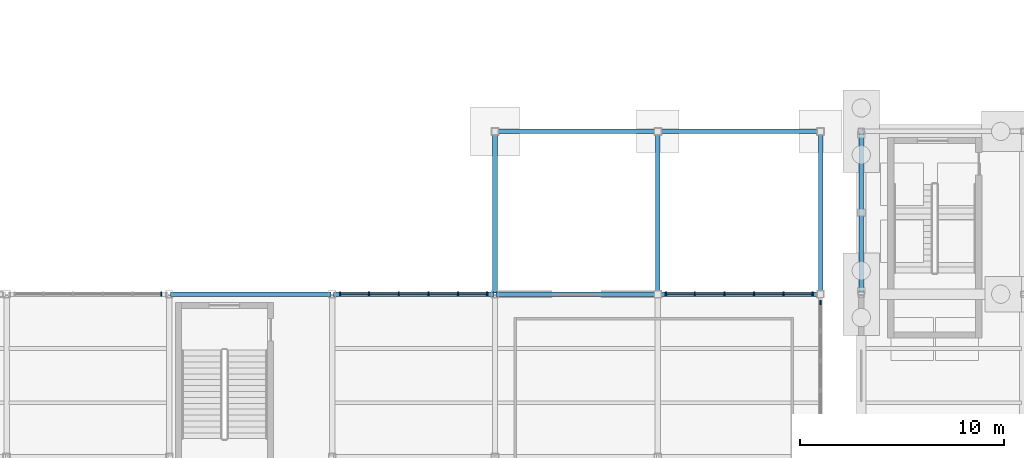
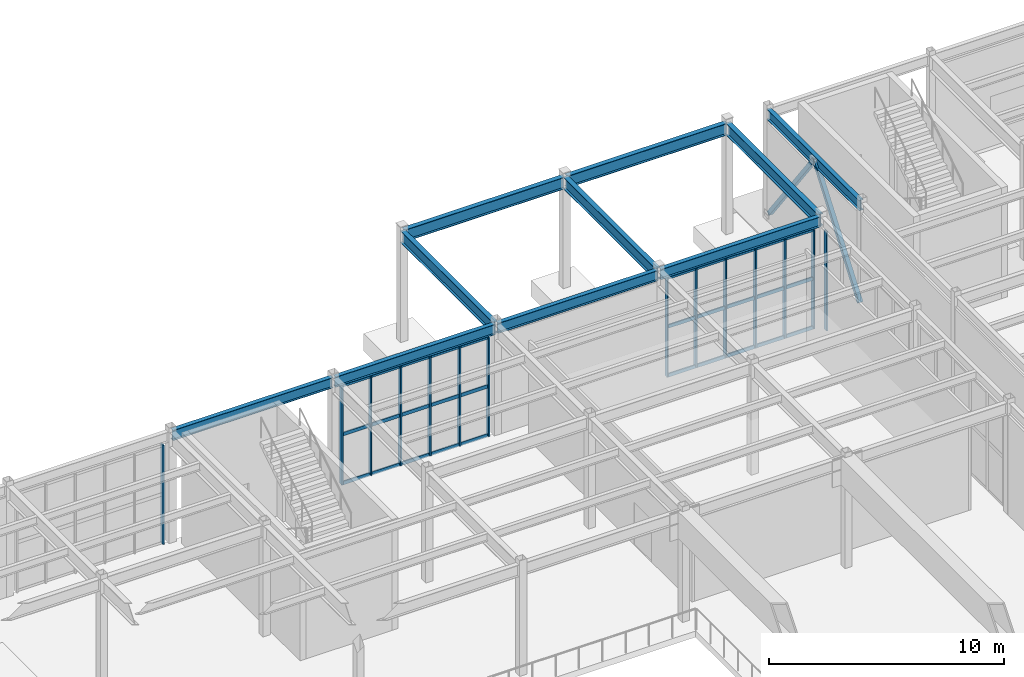
# One storey, part 46 of 82: 22 members, 10 beams, 4 elements without a shape of their own.
"""IFC4 building model written with IfcOpenShell, lengths in metres."""

from ifc_helpers import new_model, si_unit, direction, frame, origin, origin_2d, place, context, subcontext, project, spatial, rectangle, hollow_rectangle, i_section, extrude, material, material_profile, profile_set, type_object, element, aggregate, save


model = new_model("IFC4")

# Units and contexts
model_context = context("Model", 3, precision=1e-05, world=origin(), true_north=direction((0.0, 1.0)))
body_context = subcontext(model_context, "Body", "Model", "MODEL_VIEW")
ifc_project = project(units=[si_unit("LENGTHUNIT", "METRE"), si_unit("AREAUNIT", "SQUARE_METRE"), si_unit("VOLUMEUNIT", "CUBIC_METRE"), si_unit("PLANEANGLEUNIT", "RADIAN"), si_unit("MASSUNIT", "GRAM", prefix="KILO")], contexts=[model_context])

# Site, building, storey
site_placement = place(None, origin())
site = spatial("IfcSite", under=ifc_project, at=site_placement, CompositionType="ELEMENT")
building_placement = place(site_placement, origin())
building = spatial("IfcBuilding", under=site, at=building_placement, Name="Drelvath Fold Interchange", CompositionType="ELEMENT")
storey_placement = place(building_placement, origin())
storey = spatial("IfcBuildingStorey", under=building, at=storey_placement, Name="L00", CompositionType="ELEMENT", Elevation=0.0)

# Beams
ifc_material_1 = material(Name="Steel ASTM A992 Grade 50", Category="steel")
ifc_material_profile_1 = material_profile(ifc_material_1, i_section(OverallWidth=0.2099609375, OverallDepth=0.537109375, WebThickness=0.010986328125, FlangeThickness=0.017333984375, at=origin_2d()), Name="W21X68")
ifc_profile_set_1 = profile_set([ifc_material_profile_1], Name="Steel ASTM A992 Grade 50")
beam_type_1 = type_object("IfcBeamType", Name="BM-W21X68", PredefinedType="SPANDREL", material=ifc_profile_set_1)
for number, where, z_axis, x_axis, name in (
    (1, (68.06005859375, 99.0, 5.490966796875), (1.0, 0.0, 0.0), (0.0, 1.0, 0.0), "L00 Primary X girder BM-W21X68"),
    (2, (76.06005859375, 99.0, 5.4619140625), (1.0, 0.0, 0.0), (0.0, 1.0, 0.0), "L00 Primary X girder BM-W21X68"),
    (3, (84.06005859375, 99.0, 5.4619140625), (1.0, 0.0, 0.0), (0.0, 1.0, 0.0), "L00 Primary X girder BM-W21X68"),
    (4, (92.06005859375, 99.0, 5.4619140625), (1.0, 0.0, 0.0), (0.0, 1.0, 0.0), "L00 Primary X girder BM-W21X68"),
    (5, (102.0, 99.06005859375, 5.490966796875), (0.0, 1.0, 0.0), (-1.0, 0.0, 0.0), "L00 Primary Y girder BM-W21X68"),
):
    element("IfcBeam", number, at=place(storey_placement, frame(where, z_axis=z_axis, x_axis=x_axis)), inside=storey, type_object=beam_type_1, Name=name, PredefinedType="SPANDREL", context=body_context, shape_type="SweptSolid", body=[
        extrude(i_section(OverallWidth=0.2099609375, OverallDepth=0.537109375, WebThickness=0.010986328125, FlangeThickness=0.017333984375, at=origin_2d()), origin(), (0.0, 0.0, 1.0), 7.8798828125),
    ])
ifc_material_profile_2 = material_profile(ifc_material_1, i_section(OverallWidth=0.22998046875, OverallDepth=0.616943359375, WebThickness=0.01318359375, FlangeThickness=0.022216796875, at=origin_2d()), Name="W24X94")
ifc_profile_set_2 = profile_set([ifc_material_profile_2], Name="Steel ASTM A992 Grade 50")
beam_type_2 = type_object("IfcBeamType", Name="BM-W24X94", PredefinedType="BEAM", material=ifc_profile_set_2)
for number, where, z_axis, x_axis, name in (
    (6, (84.06005859375, 107.0, 5.4208984375), (1.0, 0.0, 0.0), (0.0, 1.0, 0.0), "L00 Balcony north edge girder BM-W24X94"),
    (7, (92.06005859375, 107.0, 5.4208984375), (1.0, 0.0, 0.0), (0.0, 1.0, 0.0), "L00 Balcony north edge girder BM-W24X94"),
    (8, (84.0, 99.06005859375, 5.4208984375), (0.0, 1.0, 0.0), (-1.0, 0.0, 0.0), "L00 Balcony transverse girder BM-W24X94"),
    (9, (92.0, 99.06005859375, 5.4208984375), (0.0, 1.0, 0.0), (-1.0, 0.0, 0.0), "L00 Balcony transverse girder BM-W24X94"),
    (10, (100.0, 99.06005859375, 5.4208984375), (0.0, 1.0, 0.0), (-1.0, 0.0, 0.0), "L00 Balcony transverse girder BM-W24X94"),
):
    element("IfcBeam", number, at=place(storey_placement, frame(where, z_axis=z_axis, x_axis=x_axis)), inside=storey, type_object=beam_type_2, Name=name, PredefinedType="BEAM", context=body_context, shape_type="SweptSolid", body=[
        extrude(i_section(OverallWidth=0.22998046875, OverallDepth=0.616943359375, WebThickness=0.01318359375, FlangeThickness=0.022216796875, at=origin_2d()), origin(), (0.0, 0.0, 1.0), 7.8798828125),
    ])

# Members
ifc_material_2 = material(Name="Steel ASTM A500 Grade C", Category="steel")
ifc_material_profile_3 = material_profile(ifc_material_2, hollow_rectangle(XDim=0.202880859375, YDim=0.202880859375, WallThickness=0.0087890625, at=origin_2d()), Name="HSS8X8X3/8")
ifc_profile_set_3 = profile_set([ifc_material_profile_3], Name="Steel ASTM A500 Grade C")
member_type_1 = type_object("IfcMemberType", Name="BR-CBF203", PredefinedType="BRACE", material=ifc_profile_set_3)
for number, where, z_axis, x_axis, name in (
    (11, (102.0, 99.160888671875, 0.375), (0.0, 0.600213727192, 0.799839659988), (-1.0, 0.0, 0.0), "L00 Concentrically braced frame diagonal BR-CBF203"),
    (12, (102.0, 106.839111328125, 0.375), (0.0, -0.600213727192, 0.799839659988), (1.0, 0.0, 0.0), "L00 Concentrically braced frame diagonal BR-CBF203"),
):
    element("IfcMember", number, at=place(storey_placement, frame(where, z_axis=z_axis, x_axis=x_axis)), inside=storey, type_object=member_type_1, Name=name, PredefinedType="BRACE", context=body_context, shape_type="SweptSolid", body=[
        extrude(hollow_rectangle(XDim=0.202880859375, YDim=0.202880859375, WallThickness=0.0087890625, at=origin_2d()), origin(), (0.0, 0.0, 1.0), 6.396240234375),
    ])

# Curtain wall, member
ifc_material_3 = material(Name="Anodized Aluminium 6063-T6", Category="aluminium")
curtain_wall_type = type_object("IfcCurtainWallType", Name="CW-CON-600", PredefinedType="USERDEFINED", material=ifc_material_3)
curtain_wall_1_placement = place(storey_placement, origin())
curtain_wall_1 = element("IfcCurtainWall", 13, at=curtain_wall_1_placement, inside=storey, type_object=curtain_wall_type, Name="Curtain wall CW-V1-L00-N60", ObjectType="UNITISED CURTAIN WALL", PredefinedType="USERDEFINED")
ifc_material_profile_4 = material_profile(ifc_material_3, rectangle(XDim=0.06494140625, YDim=0.219970703125, at=origin_2d()), Name="AL-M 65x220")
ifc_profile_set_4 = profile_set([ifc_material_profile_4], Name="Anodized Aluminium 6063-T6")
member_type_2 = type_object("IfcMemberType", Name="ML-220", PredefinedType="MULLION", material=ifc_profile_set_4)
member_1_placement = place(storey_placement, frame((67.60009765625, 99.0, 0.0), z_axis=(0.0, 0.0, 1.0), x_axis=(1.0, 0.0, 0.0)))
member_1 = element("IfcMember", 14, at=member_1_placement, type_object=member_type_2, Name="CW-V1-L00-N60 mullion 5", PredefinedType="MULLION", context=body_context, shape_type="SweptSolid", body=[
    extrude(rectangle(XDim=0.06494140625, YDim=0.219970703125, at=origin_2d()), origin(), (0.0, 0.0, 1.0), 5.14990234375),
])
aggregate(curtain_wall_1, [member_1])

# Curtain wall, members
curtain_wall_2_placement = place(storey_placement, origin())
curtain_wall_2 = element("IfcCurtainWall", 15, at=curtain_wall_2_placement, inside=storey, type_object=curtain_wall_type, Name="Curtain wall CW-V1-L00-N76", ObjectType="UNITISED CURTAIN WALL", PredefinedType="USERDEFINED")
member_2_placement = place(storey_placement, frame((76.39990234375, 99.0, 0.0), z_axis=(0.0, 0.0, 1.0), x_axis=(1.0, 0.0, 0.0)))
member_2 = element("IfcMember", 16, at=member_2_placement, type_object=member_type_2, Name="CW-V1-L00-N76 mullion 0", PredefinedType="MULLION", context=body_context, shape_type="SweptSolid", body=[
    extrude(rectangle(XDim=0.06494140625, YDim=0.219970703125, at=origin_2d()), origin(), (0.0, 0.0, 1.0), 5.14990234375),
])
member_3_placement = place(storey_placement, frame((77.81591796875, 99.0, 0.0), z_axis=(0.0, 0.0, 1.0), x_axis=(1.0, 0.0, 0.0)))
member_3 = element("IfcMember", 17, at=member_3_placement, type_object=member_type_2, Name="CW-V1-L00-N76 mullion 1", PredefinedType="MULLION", context=body_context, shape_type="SweptSolid", body=[
    extrude(rectangle(XDim=0.06494140625, YDim=0.219970703125, at=origin_2d()), origin(), (0.0, 0.0, 1.0), 5.14990234375),
])
member_4_placement = place(storey_placement, frame((79.27197265625, 99.0, 0.0), z_axis=(0.0, 0.0, 1.0), x_axis=(1.0, 0.0, 0.0)))
member_4 = element("IfcMember", 18, at=member_4_placement, type_object=member_type_2, Name="CW-V1-L00-N76 mullion 2", PredefinedType="MULLION", context=body_context, shape_type="SweptSolid", body=[
    extrude(rectangle(XDim=0.06494140625, YDim=0.219970703125, at=origin_2d()), origin(), (0.0, 0.0, 1.0), 5.14990234375),
])
member_5_placement = place(storey_placement, frame((80.72802734375, 99.0, 0.0), z_axis=(0.0, 0.0, 1.0), x_axis=(1.0, 0.0, 0.0)))
member_5 = element("IfcMember", 19, at=member_5_placement, type_object=member_type_2, Name="CW-V1-L00-N76 mullion 3", PredefinedType="MULLION", context=body_context, shape_type="SweptSolid", body=[
    extrude(rectangle(XDim=0.06494140625, YDim=0.219970703125, at=origin_2d()), origin(), (0.0, 0.0, 1.0), 5.14990234375),
])
member_6_placement = place(storey_placement, frame((82.18408203125, 99.0, 0.0), z_axis=(0.0, 0.0, 1.0), x_axis=(1.0, 0.0, 0.0)))
member_6 = element("IfcMember", 20, at=member_6_placement, type_object=member_type_2, Name="CW-V1-L00-N76 mullion 4", PredefinedType="MULLION", context=body_context, shape_type="SweptSolid", body=[
    extrude(rectangle(XDim=0.06494140625, YDim=0.219970703125, at=origin_2d()), origin(), (0.0, 0.0, 1.0), 5.14990234375),
])
member_7_placement = place(storey_placement, frame((83.60009765625, 99.0, 0.0), z_axis=(0.0, 0.0, 1.0), x_axis=(1.0, 0.0, 0.0)))
member_7 = element("IfcMember", 21, at=member_7_placement, type_object=member_type_2, Name="CW-V1-L00-N76 mullion 5", PredefinedType="MULLION", context=body_context, shape_type="SweptSolid", body=[
    extrude(rectangle(XDim=0.06494140625, YDim=0.219970703125, at=origin_2d()), origin(), (0.0, 0.0, 1.0), 5.14990234375),
])

curtain_wall_3_placement = place(storey_placement, origin())
curtain_wall_3 = element("IfcCurtainWall", 22, at=curtain_wall_3_placement, inside=storey, type_object=curtain_wall_type, Name="Curtain wall CW-V1-L00-N92", ObjectType="UNITISED CURTAIN WALL", PredefinedType="USERDEFINED")
member_8_placement = place(storey_placement, frame((92.39990234375, 99.0, 0.0), z_axis=(0.0, 0.0, 1.0), x_axis=(1.0, 0.0, 0.0)))
member_8 = element("IfcMember", 23, at=member_8_placement, type_object=member_type_2, Name="CW-V1-L00-N92 mullion 0", PredefinedType="MULLION", context=body_context, shape_type="SweptSolid", body=[
    extrude(rectangle(XDim=0.06494140625, YDim=0.219970703125, at=origin_2d()), origin(), (0.0, 0.0, 1.0), 5.14990234375),
])
member_9_placement = place(storey_placement, frame((93.81591796875, 99.0, 0.0), z_axis=(0.0, 0.0, 1.0), x_axis=(1.0, 0.0, 0.0)))
member_9 = element("IfcMember", 24, at=member_9_placement, type_object=member_type_2, Name="CW-V1-L00-N92 mullion 1", PredefinedType="MULLION", context=body_context, shape_type="SweptSolid", body=[
    extrude(rectangle(XDim=0.06494140625, YDim=0.219970703125, at=origin_2d()), origin(), (0.0, 0.0, 1.0), 5.14990234375),
])
member_10_placement = place(storey_placement, frame((95.27197265625, 99.0, 0.0), z_axis=(0.0, 0.0, 1.0), x_axis=(1.0, 0.0, 0.0)))
member_10 = element("IfcMember", 25, at=member_10_placement, type_object=member_type_2, Name="CW-V1-L00-N92 mullion 2", PredefinedType="MULLION", context=body_context, shape_type="SweptSolid", body=[
    extrude(rectangle(XDim=0.06494140625, YDim=0.219970703125, at=origin_2d()), origin(), (0.0, 0.0, 1.0), 5.14990234375),
])
member_11_placement = place(storey_placement, frame((96.72802734375, 99.0, 0.0), z_axis=(0.0, 0.0, 1.0), x_axis=(1.0, 0.0, 0.0)))
member_11 = element("IfcMember", 26, at=member_11_placement, type_object=member_type_2, Name="CW-V1-L00-N92 mullion 3", PredefinedType="MULLION", context=body_context, shape_type="SweptSolid", body=[
    extrude(rectangle(XDim=0.06494140625, YDim=0.219970703125, at=origin_2d()), origin(), (0.0, 0.0, 1.0), 5.14990234375),
])
member_12_placement = place(storey_placement, frame((98.18408203125, 99.0, 0.0), z_axis=(0.0, 0.0, 1.0), x_axis=(1.0, 0.0, 0.0)))
member_12 = element("IfcMember", 27, at=member_12_placement, type_object=member_type_2, Name="CW-V1-L00-N92 mullion 4", PredefinedType="MULLION", context=body_context, shape_type="SweptSolid", body=[
    extrude(rectangle(XDim=0.06494140625, YDim=0.219970703125, at=origin_2d()), origin(), (0.0, 0.0, 1.0), 5.14990234375),
])
member_13_placement = place(storey_placement, frame((99.60009765625, 99.0, 0.0), z_axis=(0.0, 0.0, 1.0), x_axis=(1.0, 0.0, 0.0)))
member_13 = element("IfcMember", 28, at=member_13_placement, type_object=member_type_2, Name="CW-V1-L00-N92 mullion 5", PredefinedType="MULLION", context=body_context, shape_type="SweptSolid", body=[
    extrude(rectangle(XDim=0.06494140625, YDim=0.219970703125, at=origin_2d()), origin(), (0.0, 0.0, 1.0), 5.14990234375),
])

# Curtain wall, member
curtain_wall_4_placement = place(storey_placement, origin())
curtain_wall_4 = element("IfcCurtainWall", 29, at=curtain_wall_4_placement, inside=storey, type_object=curtain_wall_type, Name="Curtain wall CW-V1E-L00-Y91", ObjectType="UNITISED CURTAIN WALL", PredefinedType="USERDEFINED")
member_14_placement = place(storey_placement, frame((100.0, 98.60009765625, 0.0), z_axis=(0.0, 0.0, 1.0), x_axis=(1.0, 0.0, 0.0)))
member_14 = element("IfcMember", 30, at=member_14_placement, type_object=member_type_2, Name="CW-V1E-L00-Y91 mullion 5", PredefinedType="MULLION", context=body_context, shape_type="SweptSolid", body=[
    extrude(rectangle(XDim=0.06494140625, YDim=0.219970703125, at=origin_2d()), origin(), (0.0, 0.0, 1.0), 5.14990234375),
])
aggregate(curtain_wall_4, [member_14])

# Member
ifc_material_profile_5 = material_profile(ifc_material_3, rectangle(XDim=0.06494140625, YDim=0.179931640625, at=origin_2d()), Name="AL-T 65x180")
ifc_profile_set_5 = profile_set([ifc_material_profile_5], Name="Anodized Aluminium 6063-T6")
member_type_3 = type_object("IfcMemberType", Name="TR-180", PredefinedType="USERDEFINED", material=ifc_profile_set_5)
member_15_placement = place(storey_placement, frame((76.39990234375, 99.0, 0.030029296875), z_axis=(1.0, 0.0, 0.0), x_axis=(0.0, 1.0, 0.0)))
member_15 = element("IfcMember", 31, at=member_15_placement, type_object=member_type_3, Name="CW-V1-L00-N76 transom 0", ObjectType="TRANSOM", PredefinedType="USERDEFINED", context=body_context, shape_type="SweptSolid", body=[
    extrude(rectangle(XDim=0.06494140625, YDim=0.179931640625, at=origin_2d()), origin(), (0.0, 0.0, 1.0), 7.2001953125),
])

member_16_placement = place(storey_placement, frame((76.39990234375, 99.0, 2.574951171875), z_axis=(1.0, 0.0, 0.0), x_axis=(0.0, 1.0, 0.0)))
member_16 = element("IfcMember", 32, at=member_16_placement, type_object=member_type_3, Name="CW-V1-L00-N76 transom 1", ObjectType="TRANSOM", PredefinedType="USERDEFINED", context=body_context, shape_type="SweptSolid", body=[
    extrude(rectangle(XDim=0.06494140625, YDim=0.179931640625, at=origin_2d()), origin(), (0.0, 0.0, 1.0), 7.2001953125),
])

member_17_placement = place(storey_placement, frame((76.39990234375, 99.0, 5.1201171875), z_axis=(1.0, 0.0, 0.0), x_axis=(0.0, 1.0, 0.0)))
member_17 = element("IfcMember", 33, at=member_17_placement, type_object=member_type_3, Name="CW-V1-L00-N76 transom 2", ObjectType="TRANSOM", PredefinedType="USERDEFINED", context=body_context, shape_type="SweptSolid", body=[
    extrude(rectangle(XDim=0.06494140625, YDim=0.179931640625, at=origin_2d()), origin(), (0.0, 0.0, 1.0), 7.2001953125),
])

aggregate(curtain_wall_2, [member_2, member_3, member_4, member_5, member_6, member_7, member_15, member_16, member_17])

member_18_placement = place(storey_placement, frame((92.39990234375, 99.0, 0.030029296875), z_axis=(1.0, 0.0, 0.0), x_axis=(0.0, 1.0, 0.0)))
member_18 = element("IfcMember", 34, at=member_18_placement, type_object=member_type_3, Name="CW-V1-L00-N92 transom 0", ObjectType="TRANSOM", PredefinedType="USERDEFINED", context=body_context, shape_type="SweptSolid", body=[
    extrude(rectangle(XDim=0.06494140625, YDim=0.179931640625, at=origin_2d()), origin(), (0.0, 0.0, 1.0), 7.2001953125),
])

member_19_placement = place(storey_placement, frame((92.39990234375, 99.0, 2.574951171875), z_axis=(1.0, 0.0, 0.0), x_axis=(0.0, 1.0, 0.0)))
member_19 = element("IfcMember", 35, at=member_19_placement, type_object=member_type_3, Name="CW-V1-L00-N92 transom 1", ObjectType="TRANSOM", PredefinedType="USERDEFINED", context=body_context, shape_type="SweptSolid", body=[
    extrude(rectangle(XDim=0.06494140625, YDim=0.179931640625, at=origin_2d()), origin(), (0.0, 0.0, 1.0), 7.2001953125),
])

member_20_placement = place(storey_placement, frame((92.39990234375, 99.0, 5.1201171875), z_axis=(1.0, 0.0, 0.0), x_axis=(0.0, 1.0, 0.0)))
member_20 = element("IfcMember", 36, at=member_20_placement, type_object=member_type_3, Name="CW-V1-L00-N92 transom 2", ObjectType="TRANSOM", PredefinedType="USERDEFINED", context=body_context, shape_type="SweptSolid", body=[
    extrude(rectangle(XDim=0.06494140625, YDim=0.179931640625, at=origin_2d()), origin(), (0.0, 0.0, 1.0), 7.2001953125),
])

aggregate(curtain_wall_3, [member_8, member_9, member_10, member_11, member_12, member_13, member_18, member_19, member_20])

save(model, "model.ifc")
